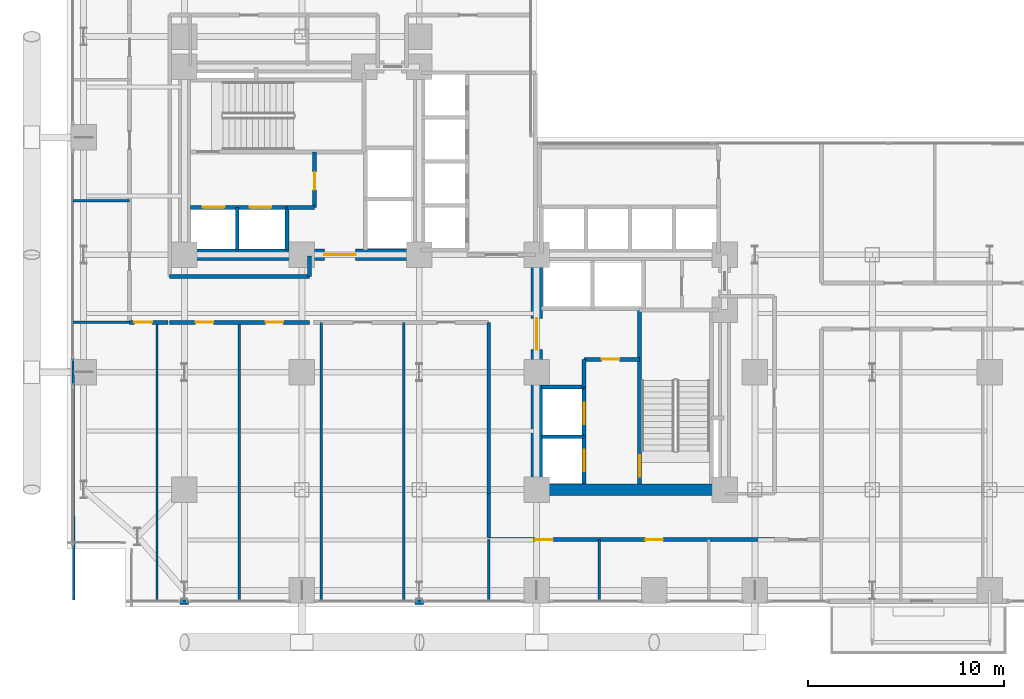
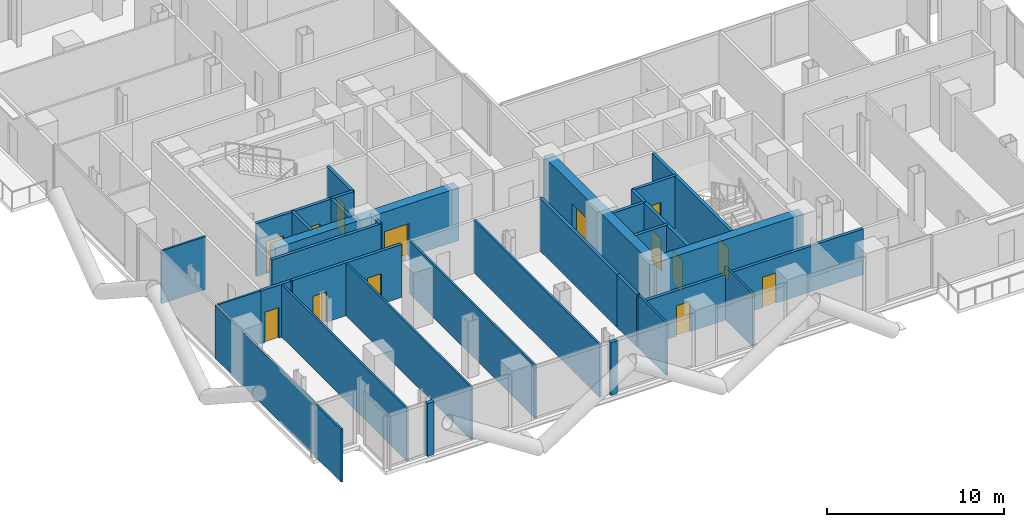
# One storey, part 21 of 27: 32 walls, 14 doors, 14 openings.
"""IFC4 building model written with IfcOpenShell, lengths in metres."""

from ifc_helpers import new_model, si_unit, direction, frame, frame_2d, origin, place, context, subcontext, project, spatial, rectangle, extrude, material, layer, layer_set, type_object, element, fill, save


model = new_model("IFC4")

# Units and contexts
model_context = context("Model", 3, precision=1e-05, world=origin(), true_north=direction((0.0, 1.0)))
body_context = subcontext(model_context, "Body", "Model", "MODEL_VIEW")
ifc_project = project(units=[si_unit("LENGTHUNIT", "METRE"), si_unit("AREAUNIT", "SQUARE_METRE"), si_unit("VOLUMEUNIT", "CUBIC_METRE"), si_unit("PLANEANGLEUNIT", "RADIAN"), si_unit("MASSUNIT", "GRAM", prefix="KILO"), si_unit("THERMODYNAMICTEMPERATUREUNIT", "KELVIN"), si_unit("POWERUNIT", "WATT")], contexts=[model_context])

# Site, building, storey
site_placement = place(None, origin())
site = spatial("IfcSite", under=ifc_project, at=site_placement, CompositionType="ELEMENT")
building_placement = place(site_placement, origin())
building = spatial("IfcBuilding", under=site, at=building_placement, Name="Svarakhadi Broadcast Tower", CompositionType="ELEMENT")
storey_placement = place(building_placement, frame((0.0, 0.0, 44.10009765625)))
storey = spatial("IfcBuildingStorey", under=building, at=storey_placement, Name="L09", CompositionType="ELEMENT", Elevation=44.10009765625)

# Wall, openings, doors
ifc_material_1 = material(Name="Double-Stud Acoustic Studio Partition STC-62", Category="gypsum")
ifc_layer_1 = layer(ifc_material_1, 0.199951171875)
ifc_layer_set_1 = layer_set([ifc_layer_1], Name="Double-Stud Acoustic Studio Partition STC-62")
wall_type_1 = type_object("IfcWallType", Name="Wall_Acoust_200", PredefinedType="PARTITIONING", material=ifc_layer_set_1)
wall_1_placement = place(storey_placement, frame((36.14990234375, 3.449951171875, 0.0), z_axis=(0.0, 0.0, 1.0), x_axis=(-1.0, 0.0, 0.0)))
wall_1 = element("IfcWall", 1, at=wall_1_placement, inside=storey, type_object=wall_type_1, Name="L09 Broadcast Corridor Wall", PredefinedType="PARTITIONING", context=body_context, shape_type="SweptSolid", body=[
    extrude(rectangle(XDim=14.599853515625, YDim=0.199951171875, at=frame_2d((7.2998046875, 0.0))), origin(), (0.0, 0.0, 1.0), 3.141845703125),
])
opening_1_placement = place(wall_1_placement, frame((11.324951171875, 0.0, 0.0)))
opening_1 = element("IfcOpeningElement", 2, at=opening_1_placement, cuts=wall_1, Name="Opening D-15", PredefinedType="OPENING", context=body_context, shape_type="SweptSolid", body=[
    extrude(rectangle(XDim=0.89990234375, YDim=2.10009765625, at=frame_2d((0.449951171875, 1.050048828125))), frame((0.0, 0.10986328125, 0.0), z_axis=(0.0, -1.0, 0.0), x_axis=(1.0, 0.0, 0.0)), (0.0, 0.0, 1.0), 0.219970703125),
])
opening_2_placement = place(wall_1_placement, frame((5.699951171875, 0.0, 0.0)))
opening_2 = element("IfcOpeningElement", 3, at=opening_2_placement, cuts=wall_1, Name="Opening D-14", PredefinedType="OPENING", context=body_context, shape_type="SweptSolid", body=[
    extrude(rectangle(XDim=0.89990234375, YDim=2.10009765625, at=frame_2d((0.449951171875, 1.050048828125))), frame((0.0, 0.10986328125, 0.0), z_axis=(0.0, -1.0, 0.0), x_axis=(1.0, 0.0, 0.0)), (0.0, 0.0, 1.0), 0.219970703125),
])
ifc_material_2 = material(Name="Solid-Core Teak Veneer Acoustic Timber Leaf", Category="wood")
door_type_1 = type_object("IfcDoorType", Name="Door_Int_D14", OperationType="SINGLE_SWING_LEFT", PredefinedType="DOOR", material=ifc_material_2)
door_1_placement = place(opening_2_placement, origin())
door_1 = element("IfcDoor", 4, at=door_1_placement, inside=storey, type_object=door_type_1, Name="L09 Media Legal Review Office Door", OperationType="SINGLE_SWING_LEFT", OverallHeight=2.10009765625, OverallWidth=0.89990234375, PredefinedType="DOOR", context=body_context, shape_type="SweptSolid", body=[
    extrude(rectangle(XDim=0.89990234375, YDim=2.10009765625, at=frame_2d((0.449951171875, 1.050048828125))), frame((0.0, 0.02490234375, 0.0), z_axis=(0.0, -1.0, 0.0), x_axis=(1.0, 0.0, 0.0)), (0.0, 0.0, 1.0), 0.050048828125),
])
fill(opening_2, door_1)
door_type_2 = type_object("IfcDoorType", Name="Door_Int_D15", OperationType="SINGLE_SWING_RIGHT", PredefinedType="DOOR", material=ifc_material_2)
door_2_placement = place(opening_1_placement, origin())
door_2 = element("IfcDoor", 5, at=door_2_placement, inside=storey, type_object=door_type_2, Name="L09 South Harbour Editorial Desk Door", OperationType="SINGLE_SWING_RIGHT", OverallHeight=2.10009765625, OverallWidth=0.89990234375, PredefinedType="DOOR", context=body_context, shape_type="SweptSolid", body=[
    extrude(rectangle(XDim=0.89990234375, YDim=2.10009765625, at=frame_2d((0.449951171875, 1.050048828125))), frame((0.0, 0.02490234375, 0.0), z_axis=(0.0, -1.0, 0.0), x_axis=(1.0, 0.0, 0.0)), (0.0, 0.0, 1.0), 0.050048828125),
])
fill(opening_1, door_2)

# Walls
wall_2_placement = place(storey_placement, frame((21.550048828125, 3.550048828125, 0.0), z_axis=(0.0, 0.0, 1.0), x_axis=(0.0, 1.0, 0.0)))
element("IfcWall", 6, at=wall_2_placement, inside=storey, type_object=wall_type_1, Name="L09 Broadcast Corridor Wall", PredefinedType="PARTITIONING", context=body_context, shape_type="SweptSolid", body=[
    extrude(rectangle(XDim=2.25, YDim=0.199951171875, at=frame_2d((1.125, 0.0))), origin(), (0.0, 0.0, 1.0), 3.64990234375),
])
wall_3_placement = place(storey_placement, frame((21.550048828125, 5.800048828125, 0.0), z_axis=(0.0, 0.0, 1.0), x_axis=(0.0, 1.0, 0.0)))
element("IfcWall", 7, at=wall_3_placement, inside=storey, type_object=wall_type_1, Name="L09 Broadcast Corridor Wall", PredefinedType="PARTITIONING", context=body_context, shape_type="SweptSolid", body=[
    extrude(rectangle(XDim=8.75, YDim=0.199951171875, at=frame_2d((4.375, 0.0))), origin(), (0.0, 0.0, 1.0), 3.64990234375),
])

# Wall, openings, doors
wall_4_placement = place(storey_placement, frame((12.39990234375, 14.550048828125, 0.0), z_axis=(0.0, 0.0, 1.0), x_axis=(-1.0, 0.0, 0.0)))
wall_4 = element("IfcWall", 8, at=wall_4_placement, inside=storey, type_object=wall_type_1, Name="L09 Broadcast Corridor Wall", PredefinedType="PARTITIONING", context=body_context, shape_type="SweptSolid", body=[
    extrude(rectangle(XDim=7.14990234375, YDim=0.199951171875, at=frame_2d((3.574951171875, 0.0))), origin(), (0.0, 0.0, 1.0), 3.64990234375),
])
opening_3_placement = place(wall_4_placement, frame((4.925048828125, 0.0, 0.0)))
opening_3 = element("IfcOpeningElement", 9, at=opening_3_placement, cuts=wall_4, Name="Opening D-15", PredefinedType="OPENING", context=body_context, shape_type="SweptSolid", body=[
    extrude(rectangle(XDim=0.89990234375, YDim=2.10009765625, at=frame_2d((0.449951171875, 1.050048828125))), frame((0.0, 0.10986328125, 0.0), z_axis=(0.0, -1.0, 0.0), x_axis=(1.0, 0.0, 0.0)), (0.0, 0.0, 1.0), 0.219970703125),
])
opening_4_placement = place(wall_4_placement, frame((1.35009765625, 0.0, 0.0)))
opening_4 = element("IfcOpeningElement", 10, at=opening_4_placement, cuts=wall_4, Name="Opening D-14", PredefinedType="OPENING", context=body_context, shape_type="SweptSolid", body=[
    extrude(rectangle(XDim=0.89990234375, YDim=2.10009765625, at=frame_2d((0.449951171875, 1.050048828125))), frame((0.0, 0.10986328125, 0.0), z_axis=(0.0, -1.0, 0.0), x_axis=(1.0, 0.0, 0.0)), (0.0, 0.0, 1.0), 0.219970703125),
])
door_3_placement = place(opening_4_placement, origin())
door_3 = element("IfcDoor", 11, at=door_3_placement, inside=storey, type_object=door_type_1, Name="L09 Audio Mix Room Door", OperationType="SINGLE_SWING_LEFT", OverallHeight=2.10009765625, OverallWidth=0.89990234375, PredefinedType="DOOR", context=body_context, shape_type="SweptSolid", body=[
    extrude(rectangle(XDim=0.89990234375, YDim=2.10009765625, at=frame_2d((0.449951171875, 1.050048828125))), frame((0.0, 0.02490234375, 0.0), z_axis=(0.0, -1.0, 0.0), x_axis=(1.0, 0.0, 0.0)), (0.0, 0.0, 1.0), 0.050048828125),
])
fill(opening_4, door_3)
door_4_placement = place(opening_3_placement, origin())
door_4 = element("IfcDoor", 12, at=door_4_placement, inside=storey, type_object=door_type_2, Name="L09 Video Edit Pod 2 Door", OperationType="SINGLE_SWING_RIGHT", OverallHeight=2.10009765625, OverallWidth=0.89990234375, PredefinedType="DOOR", context=body_context, shape_type="SweptSolid", body=[
    extrude(rectangle(XDim=0.89990234375, YDim=2.10009765625, at=frame_2d((0.449951171875, 1.050048828125))), frame((0.0, 0.02490234375, 0.0), z_axis=(0.0, -1.0, 0.0), x_axis=(1.0, 0.0, 0.0)), (0.0, 0.0, 1.0), 0.050048828125),
])
fill(opening_3, door_4)

# Wall, opening, door
wall_5_placement = place(storey_placement, frame((5.14990234375, 14.550048828125, 0.0), z_axis=(0.0, 0.0, 1.0), x_axis=(-1.0, 0.0, 0.0)))
wall_5 = element("IfcWall", 13, at=wall_5_placement, inside=storey, type_object=wall_type_1, Name="L09 Broadcast Corridor Wall", PredefinedType="PARTITIONING", context=body_context, shape_type="SweptSolid", body=[
    extrude(rectangle(XDim=1.949951171875, YDim=0.199951171875, at=frame_2d((0.97509765625, 0.0))), origin(), (0.0, 0.0, 1.0), 3.64990234375),
])
opening_5_placement = place(wall_5_placement, frame((0.800048828125, 0.0, 0.0)))
opening_5 = element("IfcOpeningElement", 14, at=opening_5_placement, cuts=wall_5, Name="Opening D-15", PredefinedType="OPENING", context=body_context, shape_type="SweptSolid", body=[
    extrude(rectangle(XDim=0.89990234375, YDim=2.10009765625, at=frame_2d((0.449951171875, 1.050048828125))), frame((0.0, 0.10986328125, 0.0), z_axis=(0.0, -1.0, 0.0), x_axis=(1.0, 0.0, 0.0)), (0.0, 0.0, 1.0), 0.219970703125),
])
door_5_placement = place(opening_5_placement, origin())
door_5 = element("IfcDoor", 15, at=door_5_placement, inside=storey, type_object=door_type_2, Name="L09 Video Edit Pod 1 Door", OperationType="SINGLE_SWING_RIGHT", OverallHeight=2.10009765625, OverallWidth=0.89990234375, PredefinedType="DOOR", context=body_context, shape_type="SweptSolid", body=[
    extrude(rectangle(XDim=0.89990234375, YDim=2.10009765625, at=frame_2d((0.449951171875, 1.050048828125))), frame((0.0, 0.02490234375, 0.0), z_axis=(0.0, -1.0, 0.0), x_axis=(1.0, 0.0, 0.0)), (0.0, 0.0, 1.0), 0.050048828125),
])
fill(opening_5, door_5)

# Walls
wall_6_placement = place(storey_placement, frame((5.25, 16.89990234375, 0.0), z_axis=(0.0, 0.0, 1.0), x_axis=(1.0, 0.0, 0.0)))
element("IfcWall", 16, at=wall_6_placement, inside=storey, type_object=wall_type_1, Name="L09 Broadcast Corridor Wall", PredefinedType="PARTITIONING", context=body_context, shape_type="SweptSolid", body=[
    extrude(rectangle(XDim=7.14990234375, YDim=0.199951171875, at=frame_2d((3.574951171875, 0.0))), origin(), (0.0, 0.0, 1.0), 3.64990234375),
])
wall_7_placement = place(storey_placement, frame((12.39990234375, 16.89990234375, 0.0), z_axis=(0.0, 0.0, 1.0), x_axis=(0.0, 1.0, 0.0)))
element("IfcWall", 17, at=wall_7_placement, inside=storey, type_object=wall_type_1, Name="L09 Broadcast Corridor Wall", PredefinedType="PARTITIONING", context=body_context, shape_type="SweptSolid", body=[
    extrude(rectangle(XDim=1.050048828125, YDim=0.199951171875, at=frame_2d((0.52490234375, 0.0))), origin(), (0.0, 0.0, 1.0), 3.64990234375),
])
ifc_material_3 = material(Name="Concrete C40/50 (IS 456 M50)", Category="concrete")
ifc_layer_2 = layer(ifc_material_3, 0.239990234375)
ifc_layer_set_2 = layer_set([ifc_layer_2], Name="Concrete C40/50 (IS 456 M50)")
wall_type_2 = type_object("IfcWallType", Name="Wall_Ext_240", PredefinedType="SOLIDWALL", material=ifc_layer_set_2)
for number, where, z_axis, x_axis, name in (
    (18, (18.215087890625, 0.239990234375, 0.0), (0.0, 0.0, 1.0), (-1.0, 0.0, 0.0), "L09 Perimeter Bronze Spandrel Closure Wall 05"),
    (19, (6.215087890625, 0.239990234375, 0.0), (0.0, 0.0, 1.0), (-1.0, 0.0, 0.0), "L09 Perimeter Bronze Spandrel Closure Wall 06"),
):
    element("IfcWall", number, at=place(storey_placement, frame(where, z_axis=z_axis, x_axis=x_axis)), inside=storey, type_object=wall_type_2, Name=name, PredefinedType="SOLIDWALL", context=body_context, shape_type="SweptSolid", body=[
        extrude(rectangle(XDim=0.43017578125, YDim=0.239990234375, at=frame_2d((0.215087890625, 0.0))), origin(), (0.0, 0.0, 1.0), 3.64990234375),
    ])
ifc_material_4 = material(Name="Fire-Rated Moisture-Resistant Gypsum Board Partition", Category="gypsum")
ifc_layer_3 = layer(ifc_material_4, 0.125)
ifc_layer_set_3 = layer_set([ifc_layer_3], Name="Fire-Rated Moisture-Resistant Gypsum Board Partition")
wall_type_3 = type_object("IfcWallType", Name="Wall_Part_125", PredefinedType="PARTITIONING", material=ifc_layer_set_3)
wall_8_placement = place(storey_placement, frame((0.35009765625, 0.35009765625, 0.0), z_axis=(0.0, 0.0, 1.0), x_axis=(-0.003524555588, 0.999993788735, 0.0)))
element("IfcWall", 20, at=wall_8_placement, inside=storey, type_object=wall_type_3, Name="L09 Video Edit Pod 1 Wall", PredefinedType="PARTITIONING", context=body_context, shape_type="SweptSolid", body=[
    extrude(rectangle(XDim=14.199951171875, YDim=0.125, at=frame_2d((7.10009765625, 0.0))), origin(), (0.0, 0.0, 1.0), 3.64990234375),
])
for number, where, z_axis, x_axis, name in (
    (21, (4.60009765625, 0.300048828125, 0.0), (0.0, 0.0, 1.0), (0.0, 1.0, 0.0), "L09 Video Edit Pod 1 Wall"),
    (22, (8.800048828125, 0.300048828125, 0.0), (0.0, 0.0, 1.0), (0.0, 1.0, 0.0), "L09 Video Edit Pod 2 Wall"),
    (23, (13.0, 0.300048828125, 0.0), (0.0, 0.0, 1.0), (0.0, 1.0, 0.0), "L09 Audio Mix Room Wall"),
    (24, (17.199951171875, 0.300048828125, 0.0), (0.0, 0.0, 1.0), (0.0, 1.0, 0.0), "L09 VFX Grading Pod Wall"),
):
    element("IfcWall", number, at=place(storey_placement, frame(where, z_axis=z_axis, x_axis=x_axis)), inside=storey, type_object=wall_type_3, Name=name, PredefinedType="PARTITIONING", context=body_context, shape_type="SweptSolid", body=[
        extrude(rectangle(XDim=14.25, YDim=0.125, at=frame_2d((7.125, 0.0))), origin(), (0.0, 0.0, 1.0), 3.64990234375),
    ])
for number, where, z_axis, x_axis, name in (
    (25, (0.300048828125, 14.550048828125, 0.0), (0.0, 0.0, 1.0), (1.0, 0.0, 0.0), "L09 Arabian Sea Commentary Booth Wall"),
    (26, (0.300048828125, 20.75, 0.0), (0.0, 0.0, 1.0), (1.0, 0.0, 0.0), "L09 Arabian Sea Commentary Booth Wall"),
):
    element("IfcWall", number, at=place(storey_placement, frame(where, z_axis=z_axis, x_axis=x_axis)), inside=storey, type_object=wall_type_3, Name=name, PredefinedType="PARTITIONING", context=body_context, shape_type="SweptSolid", body=[
        extrude(rectangle(XDim=2.89990234375, YDim=0.125, at=frame_2d((1.449951171875, 0.0))), origin(), (0.0, 0.0, 1.0), 3.64990234375),
    ])
for number, where, z_axis, x_axis, name in (
    (27, (21.550048828125, 0.300048828125, 0.0), (0.0, 0.0, 1.0), (0.0, 1.0, 0.0), "L09 South Harbour Editorial Desk Wall"),
    (28, (27.199951171875, 0.300048828125, 0.0), (0.0, 0.0, 1.0), (0.0, 1.0, 0.0), "L09 South Harbour Editorial Desk Wall"),
):
    element("IfcWall", number, at=place(storey_placement, frame(where, z_axis=z_axis, x_axis=x_axis)), inside=storey, type_object=wall_type_3, Name=name, PredefinedType="PARTITIONING", context=body_context, shape_type="SweptSolid", body=[
        extrude(rectangle(XDim=3.14990234375, YDim=0.125, at=frame_2d((1.574951171875, 0.0))), origin(), (0.0, 0.0, 1.0), 3.64990234375),
    ])

# Wall, opening, door
ifc_material_5 = material(Name="Concrete C50/60 (IS 456 M60)", Category="concrete")
ifc_layer_4 = layer(ifc_material_5, 0.199951171875)
ifc_layer_set_4 = layer_set([ifc_layer_4], Name="Concrete C50/60 (IS 456 M60)")
wall_type_4 = type_object("IfcWallType", Name="Wall_Shear_200", PredefinedType="SHEAR", material=ifc_layer_set_4)
wall_9_placement = place(storey_placement, frame((29.260009765625, 6.300048828125, 0.0), z_axis=(0.0, 0.0, 1.0), x_axis=(0.0, 1.0, 0.0)))
wall_9 = element("IfcWall", 29, at=wall_9_placement, inside=storey, type_object=wall_type_4, Name="L09 Stair ST-02 West RC Shaft Wall", PredefinedType="SHEAR", context=body_context, shape_type="SweptSolid", body=[
    extrude(rectangle(XDim=8.8798828125, YDim=0.199951171875, at=frame_2d((4.43994140625, 0.0))), origin(), (0.0, 0.0, 1.0), 3.64990234375),
])
opening_6_placement = place(wall_9_placement, frame((0.35009765625, 0.0, 0.0)))
opening_6 = element("IfcOpeningElement", 30, at=opening_6_placement, cuts=wall_9, Name="Opening D-02", PredefinedType="OPENING", context=body_context, shape_type="SweptSolid", body=[
    extrude(rectangle(XDim=1.10009765625, YDim=2.199951171875, at=frame_2d((0.550048828125, 1.10009765625))), frame((0.0, 0.10986328125, 0.0), z_axis=(0.0, -1.0, 0.0), x_axis=(1.0, 0.0, 0.0)), (0.0, 0.0, 1.0), 0.219970703125),
])
ifc_material_6 = material(Name="Galvanised Powder-Coated Fire-Rated Steel Leaf", Category="steel")
door_type_3 = type_object("IfcDoorType", Name="Door_Stair_D02", OperationType="SINGLE_SWING_RIGHT", PredefinedType="DOOR", material=ifc_material_6)
door_6_placement = place(opening_6_placement, origin())
door_6 = element("IfcDoor", 31, at=door_6_placement, inside=storey, type_object=door_type_3, Name="L09 Protected Exit Stair ST-02 Fire Door", OperationType="SINGLE_SWING_RIGHT", OverallHeight=2.199951171875, OverallWidth=1.10009765625, PredefinedType="DOOR", context=body_context, shape_type="SweptSolid", body=[
    extrude(rectangle(XDim=1.10009765625, YDim=2.199951171875, at=frame_2d((0.550048828125, 1.10009765625))), frame((0.0, 0.02490234375, 0.0), z_axis=(0.0, -1.0, 0.0), x_axis=(1.0, 0.0, 0.0)), (0.0, 0.0, 1.0), 0.050048828125),
])
fill(opening_6, door_6)

# Wall, openings, doors
wall_10_placement = place(storey_placement, frame((6.300048828125, 20.419921875, 0.0), z_axis=(0.0, 0.0, 1.0), x_axis=(1.0, 0.0, 0.0)))
wall_10 = element("IfcWall", 32, at=wall_10_placement, inside=storey, type_object=wall_type_4, Name="L09 Firefighting Lift LF-01/02 Shaft Wall", PredefinedType="SHEAR", context=body_context, shape_type="SweptSolid", body=[
    extrude(rectangle(XDim=4.949951171875, YDim=0.199951171875, at=frame_2d((2.47509765625, 0.0))), origin(), (0.0, 0.0, 1.0), 3.64990234375),
])
opening_7_placement = place(wall_10_placement, frame((0.64990234375, 0.0, 0.0)))
opening_7 = element("IfcOpeningElement", 33, at=opening_7_placement, cuts=wall_10, Name="Opening LD-01", PredefinedType="OPENING", context=body_context, shape_type="SweptSolid", body=[
    extrude(rectangle(XDim=1.10009765625, YDim=2.199951171875, at=frame_2d((0.550048828125, 1.10009765625))), frame((0.0, 0.10986328125, 0.0), z_axis=(0.0, -1.0, 0.0), x_axis=(1.0, 0.0, 0.0)), (0.0, 0.0, 1.0), 0.219970703125),
])
opening_8_placement = place(wall_10_placement, frame((3.050048828125, 0.0, 0.0)))
opening_8 = element("IfcOpeningElement", 34, at=opening_8_placement, cuts=wall_10, Name="Opening LD-01", PredefinedType="OPENING", context=body_context, shape_type="SweptSolid", body=[
    extrude(rectangle(XDim=1.10009765625, YDim=2.199951171875, at=frame_2d((0.550048828125, 1.10009765625))), frame((0.0, 0.10986328125, 0.0), z_axis=(0.0, -1.0, 0.0), x_axis=(1.0, 0.0, 0.0)), (0.0, 0.0, 1.0), 0.219970703125),
])
door_type_4 = type_object("IfcDoorType", Name="Door_Lift_LD01", OperationType="SLIDING_TO_LEFT", PredefinedType="DOOR", material=ifc_material_6)
door_7_placement = place(opening_7_placement, origin())
door_7 = element("IfcDoor", 35, at=door_7_placement, inside=storey, type_object=door_type_4, Name="L09 Firefighting Lift LF-01 Landing Door", OperationType="SLIDING_TO_LEFT", OverallHeight=2.199951171875, OverallWidth=1.10009765625, PredefinedType="DOOR", context=body_context, shape_type="SweptSolid", body=[
    extrude(rectangle(XDim=1.10009765625, YDim=2.199951171875, at=frame_2d((0.550048828125, 1.10009765625))), frame((0.0, 0.02490234375, 0.0), z_axis=(0.0, -1.0, 0.0), x_axis=(1.0, 0.0, 0.0)), (0.0, 0.0, 1.0), 0.050048828125),
])
fill(opening_7, door_7)
door_8_placement = place(opening_8_placement, origin())
door_8 = element("IfcDoor", 36, at=door_8_placement, inside=storey, type_object=door_type_4, Name="L09 Firefighting Lift LF-02 Landing Door", OperationType="SLIDING_TO_LEFT", OverallHeight=2.199951171875, OverallWidth=1.10009765625, PredefinedType="DOOR", context=body_context, shape_type="SweptSolid", body=[
    extrude(rectangle(XDim=1.10009765625, YDim=2.199951171875, at=frame_2d((0.550048828125, 1.10009765625))), frame((0.0, 0.02490234375, 0.0), z_axis=(0.0, -1.0, 0.0), x_axis=(1.0, 0.0, 0.0)), (0.0, 0.0, 1.0), 0.050048828125),
])
fill(opening_8, door_8)

# Walls
for number, where, z_axis, x_axis, name in (
    (37, (8.699951171875, 18.25, 0.0), (0.0, 0.0, 1.0), (0.0, 1.0, 0.0), "L09 Firefighting Lift LF-01/02 Divider Wall"),
    (38, (11.25, 18.25, 0.0), (0.0, 0.0, 1.0), (0.0, 1.0, 0.0), "L09 Firefighting Lift LF-02 East Wall"),
):
    element("IfcWall", number, at=place(storey_placement, frame(where, z_axis=z_axis, x_axis=x_axis)), inside=storey, type_object=wall_type_4, Name=name, PredefinedType="SHEAR", context=body_context, shape_type="SweptSolid", body=[
        extrude(rectangle(XDim=2.169921875, YDim=0.199951171875, at=frame_2d((1.0849609375, 0.0))), origin(), (0.0, 0.0, 1.0), 3.64990234375),
    ])
wall_11_placement = place(storey_placement, frame((11.25, 20.419921875, 0.0), z_axis=(0.0, 0.0, 1.0), x_axis=(1.0, 0.0, 0.0)))
element("IfcWall", 39, at=wall_11_placement, inside=storey, type_object=wall_type_4, Name="L09 West Firefighting Lobby South Wall", PredefinedType="SHEAR", context=body_context, shape_type="SweptSolid", body=[
    extrude(rectangle(XDim=1.39990234375, YDim=0.199951171875, at=frame_2d((0.699951171875, 0.0))), origin(), (0.0, 0.0, 1.0), 3.64990234375),
])

# Wall, opening, door
wall_12_placement = place(storey_placement, frame((12.64990234375, 20.419921875, 0.0), z_axis=(0.0, 0.0, 1.0), x_axis=(0.0, 1.0, 0.0)))
wall_12 = element("IfcWall", 40, at=wall_12_placement, inside=storey, type_object=wall_type_4, Name="L09 West Firefighting Lobby East Wall", PredefinedType="SHEAR", context=body_context, shape_type="SweptSolid", body=[
    extrude(rectangle(XDim=2.840087890625, YDim=0.199951171875, at=frame_2d((1.419921875, 0.0))), origin(), (0.0, 0.0, 1.0), 3.64990234375),
])
opening_9_placement = place(wall_12_placement, frame((0.89990234375, 0.0, 0.0)))
opening_9 = element("IfcOpeningElement", 41, at=opening_9_placement, cuts=wall_12, Name="Opening D-04", PredefinedType="OPENING", context=body_context, shape_type="SweptSolid", body=[
    extrude(rectangle(XDim=0.89990234375, YDim=2.14990234375, at=frame_2d((0.449951171875, 1.074951171875))), frame((0.0, 0.10986328125, 0.0), z_axis=(0.0, -1.0, 0.0), x_axis=(1.0, 0.0, 0.0)), (0.0, 0.0, 1.0), 0.219970703125),
])
door_type_5 = type_object("IfcDoorType", Name="Door_Fire_D04", OperationType="SINGLE_SWING_RIGHT", PredefinedType="DOOR", material=ifc_material_6)
door_9_placement = place(opening_9_placement, origin())
door_9 = element("IfcDoor", 42, at=door_9_placement, inside=storey, type_object=door_type_5, Name="L09 West Firefighting Lobby Fire Door", OperationType="SINGLE_SWING_RIGHT", OverallHeight=2.14990234375, OverallWidth=0.89990234375, PredefinedType="DOOR", context=body_context, shape_type="SweptSolid", body=[
    extrude(rectangle(XDim=0.89990234375, YDim=2.14990234375, at=frame_2d((0.449951171875, 1.074951171875))), frame((0.0, 0.02490234375, 0.0), z_axis=(0.0, -1.0, 0.0), x_axis=(1.0, 0.0, 0.0)), (0.0, 0.0, 1.0), 0.050048828125),
])
fill(opening_9, door_9)

# Wall, openings, doors
wall_13_placement = place(storey_placement, frame((26.419921875, 6.300048828125, 0.0), z_axis=(0.0, 0.0, 1.0), x_axis=(0.0, 1.0, 0.0)))
wall_13 = element("IfcWall", 43, at=wall_13_placement, inside=storey, type_object=wall_type_4, Name="L09 Firefighting Lift LF-03/04 Shaft Wall", PredefinedType="SHEAR", context=body_context, shape_type="SweptSolid", body=[
    extrude(rectangle(XDim=4.949951171875, YDim=0.199951171875, at=frame_2d((2.47509765625, 0.0))), origin(), (0.0, 0.0, 1.0), 3.64990234375),
])
opening_10_placement = place(wall_13_placement, frame((0.64990234375, 0.0, 0.0)))
opening_10 = element("IfcOpeningElement", 44, at=opening_10_placement, cuts=wall_13, Name="Opening LD-01", PredefinedType="OPENING", context=body_context, shape_type="SweptSolid", body=[
    extrude(rectangle(XDim=1.10009765625, YDim=2.199951171875, at=frame_2d((0.550048828125, 1.10009765625))), frame((0.0, 0.10986328125, 0.0), z_axis=(0.0, -1.0, 0.0), x_axis=(1.0, 0.0, 0.0)), (0.0, 0.0, 1.0), 0.219970703125),
])
opening_11_placement = place(wall_13_placement, frame((3.050048828125, 0.0, 0.0)))
opening_11 = element("IfcOpeningElement", 45, at=opening_11_placement, cuts=wall_13, Name="Opening LD-01", PredefinedType="OPENING", context=body_context, shape_type="SweptSolid", body=[
    extrude(rectangle(XDim=1.10009765625, YDim=2.199951171875, at=frame_2d((0.550048828125, 1.10009765625))), frame((0.0, 0.10986328125, 0.0), z_axis=(0.0, -1.0, 0.0), x_axis=(1.0, 0.0, 0.0)), (0.0, 0.0, 1.0), 0.219970703125),
])
door_10_placement = place(opening_10_placement, origin())
door_10 = element("IfcDoor", 46, at=door_10_placement, inside=storey, type_object=door_type_4, Name="L09 Firefighting Lift LF-03 Landing Door", OperationType="SLIDING_TO_LEFT", OverallHeight=2.199951171875, OverallWidth=1.10009765625, PredefinedType="DOOR", context=body_context, shape_type="SweptSolid", body=[
    extrude(rectangle(XDim=1.10009765625, YDim=2.199951171875, at=frame_2d((0.550048828125, 1.10009765625))), frame((0.0, 0.02490234375, 0.0), z_axis=(0.0, -1.0, 0.0), x_axis=(1.0, 0.0, 0.0)), (0.0, 0.0, 1.0), 0.050048828125),
])
fill(opening_10, door_10)
door_11_placement = place(opening_11_placement, origin())
door_11 = element("IfcDoor", 47, at=door_11_placement, inside=storey, type_object=door_type_4, Name="L09 Firefighting Lift LF-04 Landing Door", OperationType="SLIDING_TO_LEFT", OverallHeight=2.199951171875, OverallWidth=1.10009765625, PredefinedType="DOOR", context=body_context, shape_type="SweptSolid", body=[
    extrude(rectangle(XDim=1.10009765625, YDim=2.199951171875, at=frame_2d((0.550048828125, 1.10009765625))), frame((0.0, 0.02490234375, 0.0), z_axis=(0.0, -1.0, 0.0), x_axis=(1.0, 0.0, 0.0)), (0.0, 0.0, 1.0), 0.050048828125),
])
fill(opening_11, door_11)

# Walls
for number, where, z_axis, x_axis, name in (
    (48, (24.25, 8.699951171875, 0.0), (0.0, 0.0, 1.0), (1.0, 0.0, 0.0), "L09 Firefighting Lift LF-03/04 Divider Wall"),
    (49, (24.25, 11.25, 0.0), (0.0, 0.0, 1.0), (1.0, 0.0, 0.0), "L09 Firefighting Lift LF-04 North Wall"),
):
    element("IfcWall", number, at=place(storey_placement, frame(where, z_axis=z_axis, x_axis=x_axis)), inside=storey, type_object=wall_type_4, Name=name, PredefinedType="SHEAR", context=body_context, shape_type="SweptSolid", body=[
        extrude(rectangle(XDim=2.169921875, YDim=0.199951171875, at=frame_2d((1.0849609375, 0.0))), origin(), (0.0, 0.0, 1.0), 3.64990234375),
    ])
wall_14_placement = place(storey_placement, frame((26.419921875, 11.25, 0.0), z_axis=(0.0, 0.0, 1.0), x_axis=(0.0, 1.0, 0.0)))
element("IfcWall", 50, at=wall_14_placement, inside=storey, type_object=wall_type_4, Name="L09 East Firefighting Lobby West Wall", PredefinedType="SHEAR", context=body_context, shape_type="SweptSolid", body=[
    extrude(rectangle(XDim=1.39990234375, YDim=0.199951171875, at=frame_2d((0.699951171875, 0.0))), origin(), (0.0, 0.0, 1.0), 3.64990234375),
])

# Wall, opening, door
wall_15_placement = place(storey_placement, frame((26.419921875, 12.64990234375, 0.0), z_axis=(0.0, 0.0, 1.0), x_axis=(1.0, 0.0, 0.0)))
wall_15 = element("IfcWall", 51, at=wall_15_placement, inside=storey, type_object=wall_type_4, Name="L09 East Firefighting Lobby North Wall", PredefinedType="SHEAR", context=body_context, shape_type="SweptSolid", body=[
    extrude(rectangle(XDim=2.840087890625, YDim=0.199951171875, at=frame_2d((1.419921875, 0.0))), origin(), (0.0, 0.0, 1.0), 3.64990234375),
])
opening_12_placement = place(wall_15_placement, frame((0.89990234375, 0.0, 0.0)))
opening_12 = element("IfcOpeningElement", 52, at=opening_12_placement, cuts=wall_15, Name="Opening D-03", PredefinedType="OPENING", context=body_context, shape_type="SweptSolid", body=[
    extrude(rectangle(XDim=0.89990234375, YDim=2.14990234375, at=frame_2d((0.449951171875, 1.074951171875))), frame((0.0, 0.10986328125, 0.0), z_axis=(0.0, -1.0, 0.0), x_axis=(1.0, 0.0, 0.0)), (0.0, 0.0, 1.0), 0.219970703125),
])
door_type_6 = type_object("IfcDoorType", Name="Door_Fire_D03", OperationType="SINGLE_SWING_LEFT", PredefinedType="DOOR", material=ifc_material_6)
door_12_placement = place(opening_12_placement, origin())
door_12 = element("IfcDoor", 53, at=door_12_placement, inside=storey, type_object=door_type_6, Name="L09 East Firefighting Lobby Fire Door", OperationType="SINGLE_SWING_LEFT", OverallHeight=2.14990234375, OverallWidth=0.89990234375, PredefinedType="DOOR", context=body_context, shape_type="SweptSolid", body=[
    extrude(rectangle(XDim=0.89990234375, YDim=2.14990234375, at=frame_2d((0.449951171875, 1.074951171875))), frame((0.0, 0.02490234375, 0.0), z_axis=(0.0, -1.0, 0.0), x_axis=(1.0, 0.0, 0.0)), (0.0, 0.0, 1.0), 0.050048828125),
])
fill(opening_12, door_12)

ifc_material_7 = material(Name="Concrete C60/75 (IS 456 M70)", Category="concrete")
ifc_layer_5 = layer(ifc_material_7, 0.60009765625)
ifc_layer_set_5 = layer_set([ifc_layer_5], Name="Concrete C60/75 (IS 456 M70)")
wall_type_5 = type_object("IfcWallType", Name="Wall_Shear_600", PredefinedType="SHEAR", material=ifc_layer_set_5)
wall_16_placement = place(storey_placement, frame((6.0, 18.0, 0.0), z_axis=(0.0, 0.0, 1.0), x_axis=(1.0, 0.0, 0.0)))
wall_16 = element("IfcWall", 54, at=wall_16_placement, inside=storey, type_object=wall_type_5, Name="L09 West Core South Shear Wall", PredefinedType="SHEAR", context=body_context, shape_type="SweptSolid", body=[
    extrude(rectangle(XDim=12.0, YDim=0.60009765625, at=frame_2d((6.0, 0.0))), origin(), (0.0, 0.0, 1.0), 3.64990234375),
])
opening_13_placement = place(wall_16_placement, frame((7.14990234375, 0.0, 0.0)))
opening_13 = element("IfcOpeningElement", 55, at=opening_13_placement, cuts=wall_16, Name="Opening D-05", PredefinedType="OPENING", context=body_context, shape_type="SweptSolid", body=[
    extrude(rectangle(XDim=1.60009765625, YDim=2.300048828125, at=frame_2d((0.800048828125, 1.14990234375))), frame((0.0, 0.31005859375, 0.0), z_axis=(0.0, -1.0, 0.0), x_axis=(1.0, 0.0, 0.0)), (0.0, 0.0, 1.0), 0.6201171875),
])
ifc_material_8 = material(Name="Anodised Bronze Aluminium AA 6063-T6", Category="aluminium")
door_type_7 = type_object("IfcDoorType", Name="Door_Lobby_D05", OperationType="DOUBLE_DOOR_SLIDING", PredefinedType="DOOR", material=ifc_material_8)
door_13_placement = place(opening_13_placement, origin())
door_13 = element("IfcDoor", 56, at=door_13_placement, inside=storey, type_object=door_type_7, Name="L09 West Core Passenger Lift Lobby Entrance Door", OperationType="DOUBLE_DOOR_SLIDING", OverallHeight=2.300048828125, OverallWidth=1.60009765625, PredefinedType="DOOR", context=body_context, shape_type="SweptSolid", body=[
    extrude(rectangle(XDim=1.60009765625, YDim=2.300048828125, at=frame_2d((0.800048828125, 1.14990234375))), frame((0.0, 0.02490234375, 0.0), z_axis=(0.0, -1.0, 0.0), x_axis=(1.0, 0.0, 0.0)), (0.0, 0.0, 1.0), 0.050048828125),
])
fill(opening_13, door_13)

# Wall
wall_17_placement = place(storey_placement, frame((24.0, 6.0, 0.0), z_axis=(0.0, 0.0, 1.0), x_axis=(1.0, 0.0, 0.0)))
element("IfcWall", 57, at=wall_17_placement, inside=storey, type_object=wall_type_5, Name="L09 East Core South Shear Wall", PredefinedType="SHEAR", context=body_context, shape_type="SweptSolid", body=[
    extrude(rectangle(XDim=9.60009765625, YDim=0.60009765625, at=frame_2d((4.800048828125, 0.0))), origin(), (0.0, 0.0, 1.0), 3.64990234375),
])

# Wall, opening, door
wall_18_placement = place(storey_placement, frame((24.0, 6.0, 0.0), z_axis=(0.0, 0.0, 1.0), x_axis=(0.0, 1.0, 0.0)))
wall_18 = element("IfcWall", 58, at=wall_18_placement, inside=storey, type_object=wall_type_5, Name="L09 East Core West Shear Wall", PredefinedType="SHEAR", context=body_context, shape_type="SweptSolid", body=[
    extrude(rectangle(XDim=12.0, YDim=0.60009765625, at=frame_2d((6.0, 0.0))), origin(), (0.0, 0.0, 1.0), 3.64990234375),
])
opening_14_placement = place(wall_18_placement, frame((7.14990234375, 0.0, 0.0)))
opening_14 = element("IfcOpeningElement", 59, at=opening_14_placement, cuts=wall_18, Name="Opening D-05", PredefinedType="OPENING", context=body_context, shape_type="SweptSolid", body=[
    extrude(rectangle(XDim=1.60009765625, YDim=2.300048828125, at=frame_2d((0.800048828125, 1.14990234375))), frame((0.0, 0.31005859375, 0.0), z_axis=(0.0, -1.0, 0.0), x_axis=(1.0, 0.0, 0.0)), (0.0, 0.0, 1.0), 0.6201171875),
])
door_14_placement = place(opening_14_placement, origin())
door_14 = element("IfcDoor", 60, at=door_14_placement, inside=storey, type_object=door_type_7, Name="L09 East Core Passenger Lift Lobby Entrance Door", OperationType="DOUBLE_DOOR_SLIDING", OverallHeight=2.300048828125, OverallWidth=1.60009765625, PredefinedType="DOOR", context=body_context, shape_type="SweptSolid", body=[
    extrude(rectangle(XDim=1.60009765625, YDim=2.300048828125, at=frame_2d((0.800048828125, 1.14990234375))), frame((0.0, 0.02490234375, 0.0), z_axis=(0.0, -1.0, 0.0), x_axis=(1.0, 0.0, 0.0)), (0.0, 0.0, 1.0), 0.050048828125),
])
fill(opening_14, door_14)

save(model, "model.ifc")
